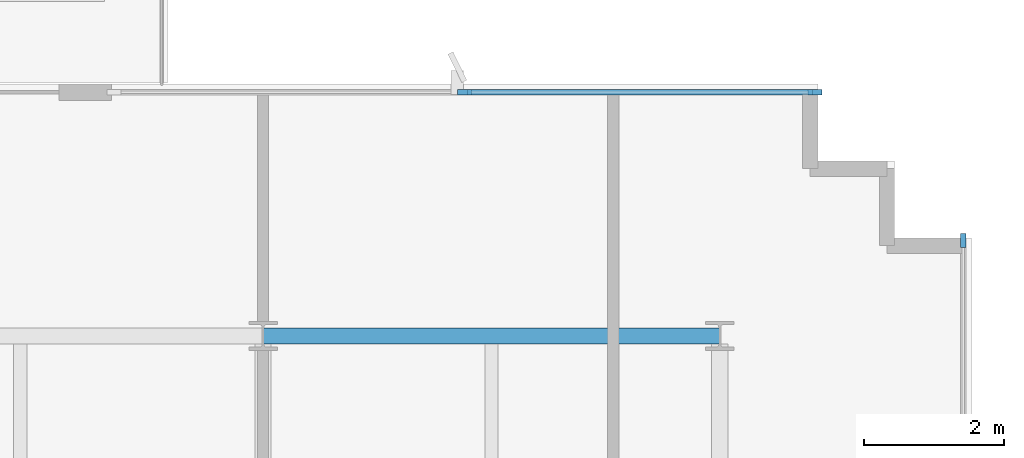
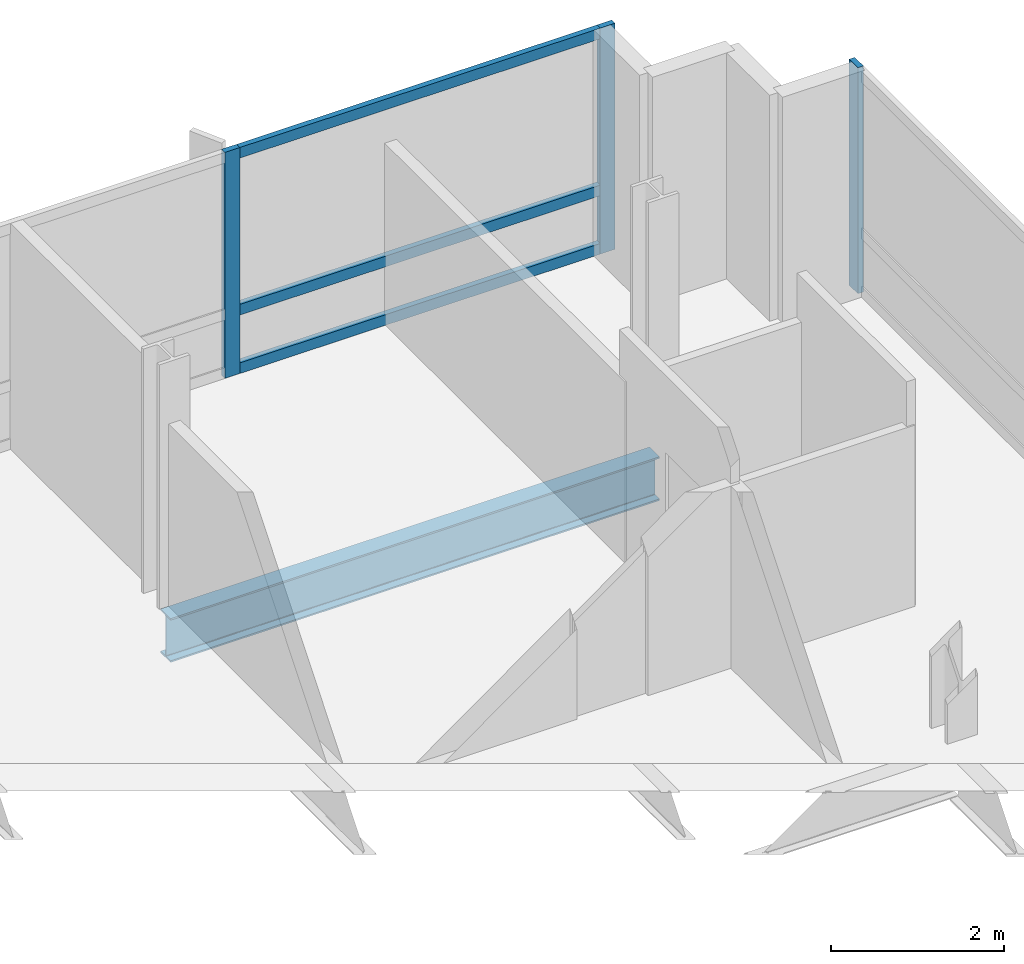
# One storey, part 6 of 14: 6 members, 1 beam, 2 elements without a shape of their own.
"""IFC4 building model written with IfcOpenShell, lengths in metres."""

from ifc_helpers import new_model, si_unit, direction, frame, origin, origin_2d, place, context, subcontext, project, spatial, rectangle, i_section, extrude, material, material_profile, profile_set, type_object, element, aggregate, save


model = new_model("IFC4")

# Units and contexts
model_context = context("Model", 3, precision=1e-05, world=origin(), true_north=direction((0.0, 1.0)))
body_context = subcontext(model_context, "Body", "Model", "MODEL_VIEW")
ifc_project = project(units=[si_unit("LENGTHUNIT", "METRE"), si_unit("AREAUNIT", "SQUARE_METRE"), si_unit("VOLUMEUNIT", "CUBIC_METRE"), si_unit("PLANEANGLEUNIT", "RADIAN"), si_unit("MASSUNIT", "GRAM", prefix="KILO")], contexts=[model_context])

# Site, building, storey
site_placement = place(None, origin())
site = spatial("IfcSite", under=ifc_project, at=site_placement, CompositionType="ELEMENT")
building_placement = place(site_placement, origin())
building = spatial("IfcBuilding", under=site, at=building_placement, Name="Solmavex Isthmus Hotel", CompositionType="ELEMENT")
storey_placement = place(building_placement, frame((0.0, 0.0, 255.75)))
storey = spatial("IfcBuildingStorey", under=building, at=storey_placement, Name="L69", CompositionType="ELEMENT", Elevation=255.75)

# Beam
ifc_material_1 = material(Name="Steel ASTM A992 Grade 50", Category="steel")
ifc_material_profile_1 = material_profile(ifc_material_1, i_section(OverallWidth=0.230224609375, OverallDepth=0.617431640625, WebThickness=0.01318359375, FlangeThickness=0.022216796875, FilletRadius=0.01513671875, at=origin_2d()), Name="W24X94")
ifc_profile_set_1 = profile_set([ifc_material_profile_1], Name="Steel ASTM A992 Grade 50")
beam_type = type_object("IfcBeamType", Name="BM-SP-W24X94", PredefinedType="SPANDREL", material=ifc_profile_set_1)
beam_placement = place(storey_placement, frame((13.8720703125, 17.699951171875, -0.56884765625), z_axis=(1.0, 0.0, 0.0), x_axis=(0.0, 1.0, 0.0)))
element("IfcBeam", 1, at=beam_placement, inside=storey, type_object=beam_type, Name="Floor Girder L69-UG20", PredefinedType="SPANDREL", context=body_context, shape_type="SweptSolid", body=[
    extrude(i_section(OverallWidth=0.230224609375, OverallDepth=0.617431640625, WebThickness=0.01318359375, FlangeThickness=0.022216796875, FilletRadius=0.01513671875, at=origin_2d()), origin(), (0.0, 0.0, 1.0), 6.52783203125),
])

# Curtain wall, members
ifc_material_2 = material(Name="Aluminium alloy 6063-T6", Category="aluminium")
curtain_wall_type = type_object("IfcCurtainWallType", Name="CW-SYS-04", PredefinedType="NOTDEFINED", material=ifc_material_2)
curtain_wall_1_placement = place(storey_placement, origin())
curtain_wall_1 = element("IfcCurtainWall", 2, at=curtain_wall_1_placement, inside=storey, type_object=curtain_wall_type, Name="Stick Curtain Wall CWL-L69-N3", PredefinedType="NOTDEFINED")
ifc_material_profile_2 = material_profile(ifc_material_2, rectangle(XDim=0.074951171875, YDim=0.199951171875, at=origin_2d()), Name="CWM-75X200")
ifc_profile_set_2 = profile_set([ifc_material_profile_2], Name="Aluminium alloy 6063-T6")
member_type_1 = type_object("IfcMemberType", Name="CW-SYS-04-MUL", PredefinedType="MULLION", material=ifc_profile_set_2)
member_1_placement = place(storey_placement, frame((16.751953125, 21.179931640625, 0.0), z_axis=(0.0, 0.0, 1.0), x_axis=(0.0, 1.0, 0.0)))
member_1 = element("IfcMember", 3, at=member_1_placement, type_object=member_type_1, Name="CW-04 mullion 2", PredefinedType="MULLION", context=body_context, shape_type="SweptSolid", body=[
    extrude(rectangle(XDim=0.074951171875, YDim=0.199951171875, at=origin_2d()), origin(), (0.0, 0.0, 1.0), 3.18994140625),
])
member_2_placement = place(storey_placement, frame((21.762451171875, 21.179931640625, 0.0), z_axis=(0.0, 0.0, 1.0), x_axis=(0.0, 1.0, 0.0)))
member_2 = element("IfcMember", 4, at=member_2_placement, type_object=member_type_1, Name="CW-04 mullion 3", PredefinedType="MULLION", context=body_context, shape_type="SweptSolid", body=[
    extrude(rectangle(XDim=0.074951171875, YDim=0.199951171875, at=origin_2d()), origin(), (0.0, 0.0, 1.0), 3.18994140625),
])

# Curtain wall, member
curtain_wall_2_placement = place(storey_placement, origin())
curtain_wall_2 = element("IfcCurtainWall", 5, at=curtain_wall_2_placement, inside=storey, type_object=curtain_wall_type, Name="Stick Curtain Wall CWL-L69-E1", PredefinedType="NOTDEFINED")
member_3_placement = place(storey_placement, frame((23.8798828125, 19.0625, 0.0), z_axis=(0.0, 0.0, 1.0), x_axis=(-1.0, 0.0, 0.0)))
member_3 = element("IfcMember", 6, at=member_3_placement, type_object=member_type_1, Name="CW-04 mullion 6", PredefinedType="MULLION", context=body_context, shape_type="SweptSolid", body=[
    extrude(rectangle(XDim=0.074951171875, YDim=0.199951171875, at=origin_2d()), origin(), (0.0, 0.0, 1.0), 3.18994140625),
])
aggregate(curtain_wall_2, [member_3])

# Member
ifc_material_profile_3 = material_profile(ifc_material_2, rectangle(XDim=0.074951171875, YDim=0.14990234375, at=origin_2d()), Name="CWT-75X150")
ifc_profile_set_3 = profile_set([ifc_material_profile_3], Name="Aluminium alloy 6063-T6")
member_type_2 = type_object("IfcMemberType", Name="CW-SYS-04-TRN", PredefinedType="USERDEFINED", material=ifc_profile_set_3)
member_4_placement = place(storey_placement, frame((16.78955078125, 21.179931640625, 0.074951171875), z_axis=(1.0, 0.0, 0.0), x_axis=(0.0, 1.0, 0.0)))
member_4 = element("IfcMember", 7, at=member_4_placement, type_object=member_type_2, Name="CW-04 transom 2.1", ObjectType="TRANSOM", PredefinedType="USERDEFINED", context=body_context, shape_type="SweptSolid", body=[
    extrude(rectangle(XDim=0.074951171875, YDim=0.14990234375, at=origin_2d()), origin(), (0.0, 0.0, 1.0), 4.935546875),
])

member_5_placement = place(storey_placement, frame((16.78955078125, 21.179931640625, 0.89990234375), z_axis=(1.0, 0.0, 0.0), x_axis=(0.0, 1.0, 0.0)))
member_5 = element("IfcMember", 8, at=member_5_placement, type_object=member_type_2, Name="CW-04 transom 2.2", ObjectType="TRANSOM", PredefinedType="USERDEFINED", context=body_context, shape_type="SweptSolid", body=[
    extrude(rectangle(XDim=0.074951171875, YDim=0.14990234375, at=origin_2d()), origin(), (0.0, 0.0, 1.0), 4.935546875),
])

member_6_placement = place(storey_placement, frame((16.78955078125, 21.179931640625, 3.114990234375), z_axis=(1.0, 0.0, 0.0), x_axis=(0.0, 1.0, 0.0)))
member_6 = element("IfcMember", 9, at=member_6_placement, type_object=member_type_2, Name="CW-04 transom 2.3", ObjectType="TRANSOM", PredefinedType="USERDEFINED", context=body_context, shape_type="SweptSolid", body=[
    extrude(rectangle(XDim=0.074951171875, YDim=0.14990234375, at=origin_2d()), origin(), (0.0, 0.0, 1.0), 4.935546875),
])

aggregate(curtain_wall_1, [member_1, member_2, member_4, member_5, member_6])

save(model, "model.ifc")
